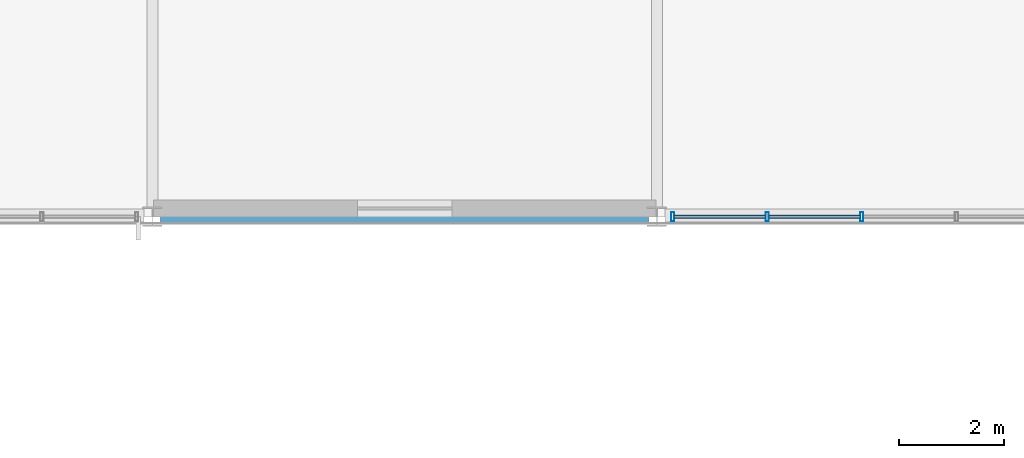
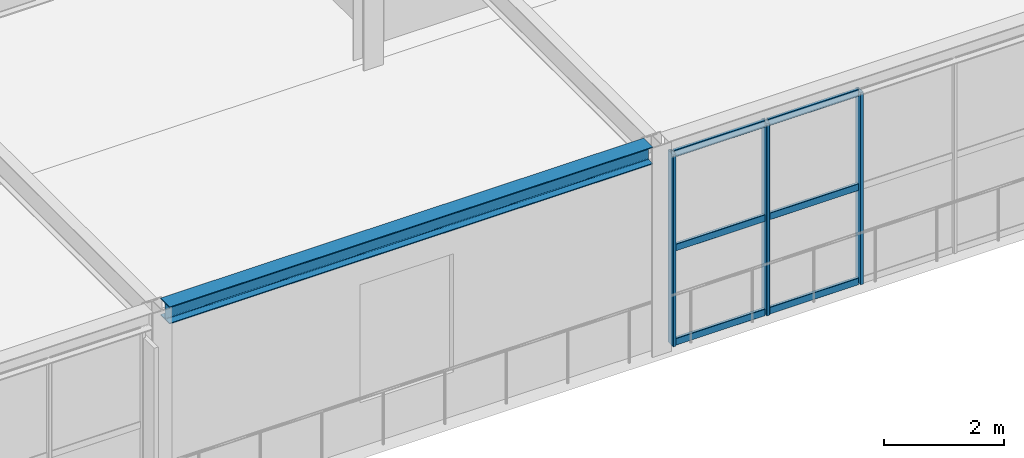
# One storey, part 95 of 170: 9 members, 1 beam, 1 element without a shape of its own.
"""IFC4 building model written with IfcOpenShell, lengths in metres."""

from ifc_helpers import new_model, si_unit, direction, frame, origin, origin_2d, place, context, subcontext, project, spatial, hollow_rectangle, i_section, extrude, material, material_profile, profile_set, type_object, element, aggregate, save


model = new_model("IFC4")

# Units and contexts
model_context = context("Model", 3, precision=1e-05, world=origin(), true_north=direction((0.0, 1.0)))
body_context = subcontext(model_context, "Body", "Model", "MODEL_VIEW")
ifc_project = project(units=[si_unit("LENGTHUNIT", "METRE"), si_unit("AREAUNIT", "SQUARE_METRE"), si_unit("VOLUMEUNIT", "CUBIC_METRE"), si_unit("PLANEANGLEUNIT", "RADIAN"), si_unit("MASSUNIT", "GRAM", prefix="KILO")], contexts=[model_context])

# Site, building, storey
site_placement = place(None, origin())
site = spatial("IfcSite", under=ifc_project, at=site_placement, CompositionType="ELEMENT")
building_placement = place(site_placement, origin())
building = spatial("IfcBuilding", under=site, at=building_placement, Name="Coralgate Yard Interchange", CompositionType="ELEMENT")
storey_placement = place(building_placement, frame((0.0, 0.0, 6.0)))
storey = spatial("IfcBuildingStorey", under=building, at=storey_placement, Name="L01", CompositionType="ELEMENT", Elevation=6.0)

# Beam
ifc_material_1 = material(Name="Structural steel S355J2", Category="steel")
ifc_material_profile_1 = material_profile(ifc_material_1, i_section(OverallWidth=0.300048828125, OverallDepth=0.35009765625, WebThickness=0.010009765625, FlangeThickness=0.017578125, FilletRadius=0.027099609375, at=origin_2d()), Name="HEA 360")
ifc_profile_set_1 = profile_set([ifc_material_profile_1], Name="Structural steel S355J2")
beam_type = type_object("IfcBeamType", Name="BM-SP-1", PredefinedType="SPANDREL", material=ifc_profile_set_1)
beam_placement = place(storey_placement, frame((76.956298828125, 67.199951171875, 4.074951171875), z_axis=(1.0, 0.0, 0.0), x_axis=(0.0, 1.0, 0.0)))
element("IfcBeam", 1, at=beam_placement, inside=storey, type_object=beam_type, Name="L01 primary grid beam Y7 X8-9", PredefinedType="SPANDREL", context=body_context, shape_type="SweptSolid", body=[
    extrude(i_section(OverallWidth=0.300048828125, OverallDepth=0.35009765625, WebThickness=0.010009765625, FlangeThickness=0.017578125, FilletRadius=0.027099609375, at=origin_2d()), origin(), (0.0, 0.0, 1.0), 9.287353515625),
])

# Curtain wall, members
ifc_material_2 = material(Name="Anodised coastal aluminium and solar-control low-E glass", Category="aluminium")
curtain_wall_type = type_object("IfcCurtainWallType", Name="CW-CW-L01-A", PredefinedType="NOTDEFINED", material=ifc_material_2)
curtain_wall_placement = place(storey_placement, origin())
curtain_wall = element("IfcCurtainWall", 2, at=curtain_wall_placement, inside=storey, type_object=curtain_wall_type, Name="L01 unitised curtain wall CW-L01-S-09-07", PredefinedType="NOTDEFINED")
ifc_material_3 = material(Name="Anodised coastal aluminium 6063-T6", Category="aluminium")
ifc_material_profile_2 = material_profile(ifc_material_3, hollow_rectangle(XDim=0.06005859375, YDim=0.179931640625, WallThickness=0.00390625, InnerFilletRadius=0.00390625, OuterFilletRadius=0.008056640625, at=origin_2d()), Name="ALU 60x180x4")
ifc_profile_set_2 = profile_set([ifc_material_profile_2], Name="Anodised coastal aluminium 6063-T6")
member_type_1 = type_object("IfcMemberType", Name="MB-MUL-180", PredefinedType="MULLION", material=ifc_profile_set_2)
member_1_placement = place(storey_placement, frame((90.300048828125, 67.199951171875, 0.0), z_axis=(0.0, 0.0, 1.0), x_axis=(1.0, 0.0, 0.0)))
member_1 = element("IfcMember", 3, at=member_1_placement, type_object=member_type_1, Name="CW-L01-S-09-07 vertical mullion 4", PredefinedType="MULLION", context=body_context, shape_type="SweptSolid", body=[
    extrude(hollow_rectangle(XDim=0.06005859375, YDim=0.179931640625, WallThickness=0.00390625, InnerFilletRadius=0.00390625, OuterFilletRadius=0.008056640625, at=origin_2d()), origin(), (0.0, 0.0, 1.0), 3.89990234375),
])
member_2_placement = place(storey_placement, frame((88.5, 67.199951171875, 0.0), z_axis=(0.0, 0.0, 1.0), x_axis=(1.0, 0.0, 0.0)))
member_2 = element("IfcMember", 4, at=member_2_placement, type_object=member_type_1, Name="CW-L01-S-09-07 vertical mullion 5", PredefinedType="MULLION", context=body_context, shape_type="SweptSolid", body=[
    extrude(hollow_rectangle(XDim=0.06005859375, YDim=0.179931640625, WallThickness=0.00390625, InnerFilletRadius=0.00390625, OuterFilletRadius=0.008056640625, at=origin_2d()), origin(), (0.0, 0.0, 1.0), 3.89990234375),
])
member_3_placement = place(storey_placement, frame((86.699951171875, 67.199951171875, 0.0), z_axis=(0.0, 0.0, 1.0), x_axis=(1.0, 0.0, 0.0)))
member_3 = element("IfcMember", 5, at=member_3_placement, type_object=member_type_1, Name="CW-L01-S-09-07 vertical mullion 6", PredefinedType="MULLION", context=body_context, shape_type="SweptSolid", body=[
    extrude(hollow_rectangle(XDim=0.06005859375, YDim=0.179931640625, WallThickness=0.00390625, InnerFilletRadius=0.00390625, OuterFilletRadius=0.008056640625, at=origin_2d()), origin(), (0.0, 0.0, 1.0), 3.89990234375),
])
ifc_material_profile_3 = material_profile(ifc_material_3, hollow_rectangle(XDim=0.06005859375, YDim=0.139892578125, WallThickness=0.00341796875, InnerFilletRadius=0.00341796875, OuterFilletRadius=0.007080078125, at=origin_2d()), Name="ALU 60x140x3.5")
ifc_profile_set_3 = profile_set([ifc_material_profile_3], Name="Anodised coastal aluminium 6063-T6")
member_type_2 = type_object("IfcMemberType", Name="MB-TRN-140", PredefinedType="USERDEFINED", material=ifc_profile_set_3)
member_4_placement = place(storey_placement, frame((90.27001953125, 67.199951171875, 0.034912109375), z_axis=(-1.0, 0.0, 0.0), x_axis=(0.0, -1.0, 0.0)))
member_4 = element("IfcMember", 6, at=member_4_placement, type_object=member_type_2, Name="CW-L01-S-09-07 horizontal transom 4-1", ObjectType="TRANSOM", PredefinedType="USERDEFINED", context=body_context, shape_type="SweptSolid", body=[
    extrude(hollow_rectangle(XDim=0.06005859375, YDim=0.139892578125, WallThickness=0.00341796875, InnerFilletRadius=0.00341796875, OuterFilletRadius=0.007080078125, at=origin_2d()), origin(), (0.0, 0.0, 1.0), 1.739990234375),
])
member_5_placement = place(storey_placement, frame((90.27001953125, 67.199951171875, 1.949951171875), z_axis=(-1.0, 0.0, 0.0), x_axis=(0.0, -1.0, 0.0)))
member_5 = element("IfcMember", 7, at=member_5_placement, type_object=member_type_2, Name="CW-L01-S-09-07 horizontal transom 4-2", ObjectType="TRANSOM", PredefinedType="USERDEFINED", context=body_context, shape_type="SweptSolid", body=[
    extrude(hollow_rectangle(XDim=0.06005859375, YDim=0.139892578125, WallThickness=0.00341796875, InnerFilletRadius=0.00341796875, OuterFilletRadius=0.007080078125, at=origin_2d()), origin(), (0.0, 0.0, 1.0), 1.739990234375),
])
member_6_placement = place(storey_placement, frame((90.27001953125, 67.199951171875, 3.864990234375), z_axis=(-1.0, 0.0, 0.0), x_axis=(0.0, -1.0, 0.0)))
member_6 = element("IfcMember", 8, at=member_6_placement, type_object=member_type_2, Name="CW-L01-S-09-07 horizontal transom 4-3", ObjectType="TRANSOM", PredefinedType="USERDEFINED", context=body_context, shape_type="SweptSolid", body=[
    extrude(hollow_rectangle(XDim=0.06005859375, YDim=0.139892578125, WallThickness=0.00341796875, InnerFilletRadius=0.00341796875, OuterFilletRadius=0.007080078125, at=origin_2d()), origin(), (0.0, 0.0, 1.0), 1.739990234375),
])
member_7_placement = place(storey_placement, frame((88.469970703125, 67.199951171875, 0.034912109375), z_axis=(-1.0, 0.0, 0.0), x_axis=(0.0, -1.0, 0.0)))
member_7 = element("IfcMember", 9, at=member_7_placement, type_object=member_type_2, Name="CW-L01-S-09-07 horizontal transom 5-1", ObjectType="TRANSOM", PredefinedType="USERDEFINED", context=body_context, shape_type="SweptSolid", body=[
    extrude(hollow_rectangle(XDim=0.06005859375, YDim=0.139892578125, WallThickness=0.00341796875, InnerFilletRadius=0.00341796875, OuterFilletRadius=0.007080078125, at=origin_2d()), origin(), (0.0, 0.0, 1.0), 1.739990234375),
])
member_8_placement = place(storey_placement, frame((88.469970703125, 67.199951171875, 1.949951171875), z_axis=(-1.0, 0.0, 0.0), x_axis=(0.0, -1.0, 0.0)))
member_8 = element("IfcMember", 10, at=member_8_placement, type_object=member_type_2, Name="CW-L01-S-09-07 horizontal transom 5-2", ObjectType="TRANSOM", PredefinedType="USERDEFINED", context=body_context, shape_type="SweptSolid", body=[
    extrude(hollow_rectangle(XDim=0.06005859375, YDim=0.139892578125, WallThickness=0.00341796875, InnerFilletRadius=0.00341796875, OuterFilletRadius=0.007080078125, at=origin_2d()), origin(), (0.0, 0.0, 1.0), 1.739990234375),
])
member_9_placement = place(storey_placement, frame((88.469970703125, 67.199951171875, 3.864990234375), z_axis=(-1.0, 0.0, 0.0), x_axis=(0.0, -1.0, 0.0)))
member_9 = element("IfcMember", 11, at=member_9_placement, type_object=member_type_2, Name="CW-L01-S-09-07 horizontal transom 5-3", ObjectType="TRANSOM", PredefinedType="USERDEFINED", context=body_context, shape_type="SweptSolid", body=[
    extrude(hollow_rectangle(XDim=0.06005859375, YDim=0.139892578125, WallThickness=0.00341796875, InnerFilletRadius=0.00341796875, OuterFilletRadius=0.007080078125, at=origin_2d()), origin(), (0.0, 0.0, 1.0), 1.739990234375),
])
aggregate(curtain_wall, [member_1, member_2, member_3, member_4, member_5, member_6, member_7, member_8, member_9])

save(model, "model.ifc")
